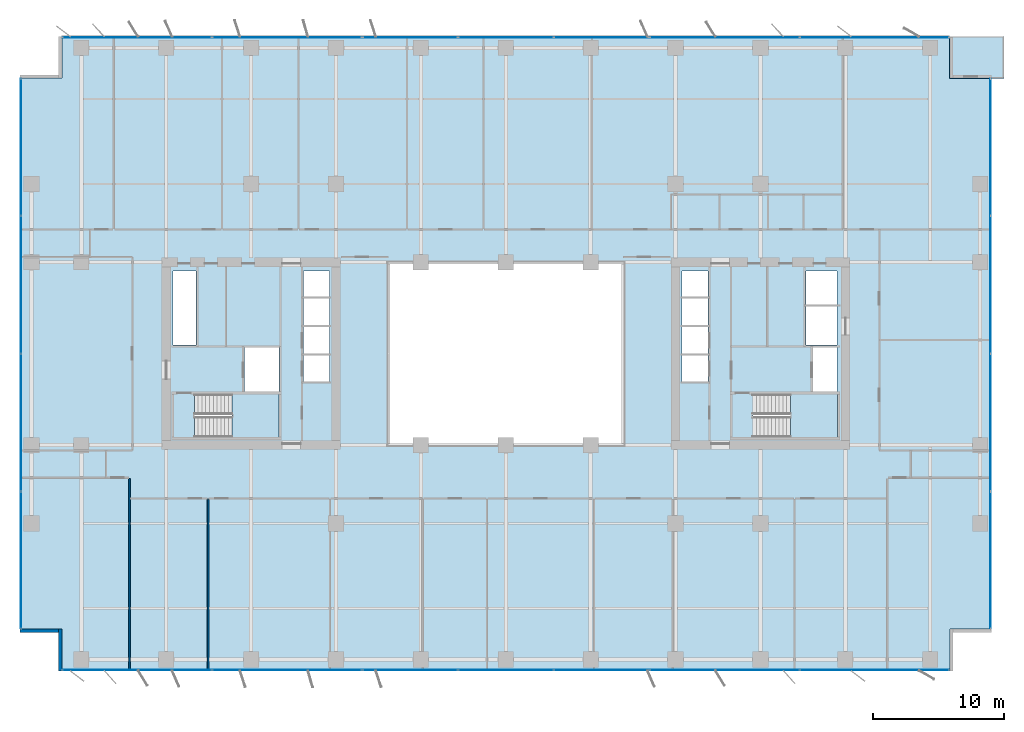
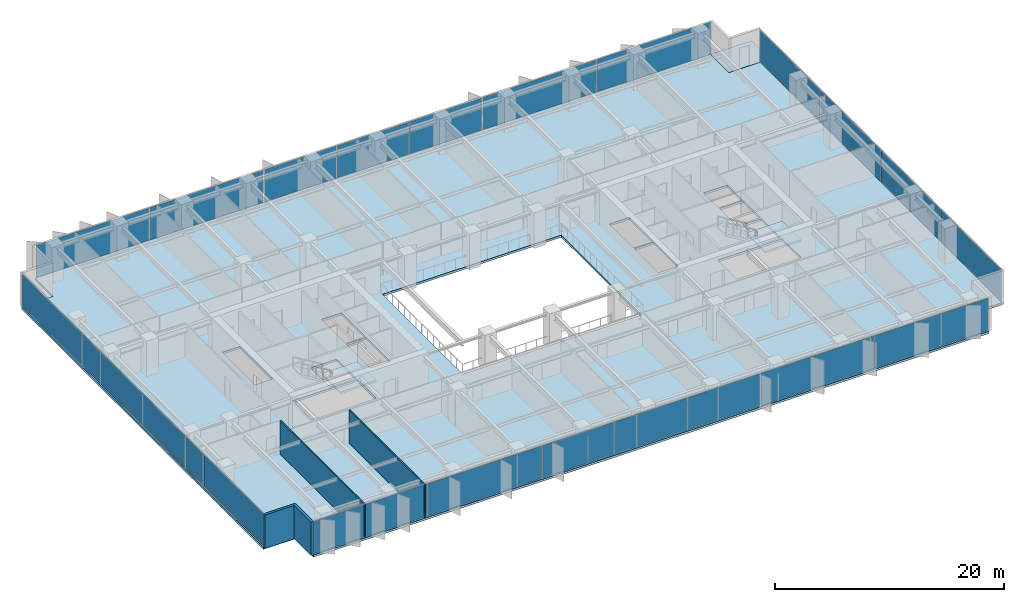
# One storey, part 12 of 20: 22 plates, 4 slabs, 4 walls, 10 elements without a shape of their own.
"""IFC4 building model written with IfcOpenShell, lengths in metres."""

from ifc_helpers import new_model, si_unit, direction, frame, frame_2d, origin, origin_2d, place, context, subcontext, project, spatial, polyline, rectangle, outline, extrude, material, layer, layer_set, type_object, element, aggregate, save


model = new_model("IFC4")

# Units and contexts
model_context = context("Model", 3, precision=1e-05, world=origin(), true_north=direction((0.0, 1.0)))
body_context = subcontext(model_context, "Body", "Model", "MODEL_VIEW")
ifc_project = project(units=[si_unit("LENGTHUNIT", "METRE"), si_unit("AREAUNIT", "SQUARE_METRE"), si_unit("VOLUMEUNIT", "CUBIC_METRE"), si_unit("PLANEANGLEUNIT", "RADIAN"), si_unit("MASSUNIT", "GRAM", prefix="KILO")], contexts=[model_context])

# Site, building, storey
site_placement = place(None, origin())
site = spatial("IfcSite", under=ifc_project, at=site_placement, CompositionType="ELEMENT")
building_placement = place(site_placement, origin())
building = spatial("IfcBuilding", under=site, at=building_placement, Name="Putna Gate Headquarters", CompositionType="ELEMENT")
storey_placement = place(building_placement, frame((0.0, 0.0, 127.800048828125)))
storey = spatial("IfcBuildingStorey", under=building, at=storey_placement, Name="L31", CompositionType="ELEMENT", Elevation=127.800048828125)

# Stair, slab
ifc_material_1 = material(Name="Concrete C40/50", Category="concrete")
stair_type_1 = type_object("IfcStairType", Name="STAIR-ST1", PredefinedType="HALF_TURN_STAIR", material=ifc_material_1)
stair_1_placement = place(storey_placement, origin())
stair_1 = element("IfcStair", 1, at=stair_1_placement, inside=storey, type_object=stair_type_1, Name="L31 West Core Exit Stair ST1", PredefinedType="HALF_TURN_STAIR")
ifc_layer_1 = layer(ifc_material_1, 0.199951171875)
ifc_layer_set_1 = layer_set([ifc_layer_1], Name="Concrete C40/50")
slab_type_1 = type_object("IfcSlabType", Name="LANDING-ST1", PredefinedType="LANDING", material=ifc_layer_set_1)
slab_1_placement = place(storey_placement, frame((0.0, 0.0, 1.699951171875)))
slab_1 = element("IfcSlab", 2, at=slab_1_placement, type_object=slab_type_1, Name="ST1 landing 1", PredefinedType="LANDING", context=body_context, shape_type="SweptSolid", body=[
    extrude(outline(polyline([(18.050048828125, 19.60009765625), (21.64990234375, 19.60009765625), (21.64990234375, 22.89990234375), (18.050048828125, 22.89990234375), (18.050048828125, 19.60009765625)])), origin(), (0.0, 0.0, 1.0), 0.199951171875),
])
aggregate(stair_1, [slab_1])

stair_type_2 = type_object("IfcStairType", Name="STAIR-ST2", PredefinedType="HALF_TURN_STAIR", material=ifc_material_1)
stair_2_placement = place(storey_placement, origin())
stair_2 = element("IfcStair", 3, at=stair_2_placement, inside=storey, type_object=stair_type_2, Name="L31 East Core Exit Stair ST2", PredefinedType="HALF_TURN_STAIR")
ifc_layer_2 = layer(ifc_material_1, 0.199951171875)
ifc_layer_set_2 = layer_set([ifc_layer_2], Name="Concrete C40/50")
slab_type_2 = type_object("IfcSlabType", Name="LANDING-ST2", PredefinedType="LANDING", material=ifc_layer_set_2)
slab_2_placement = place(storey_placement, frame((0.0, 0.0, 1.699951171875)))
slab_2 = element("IfcSlab", 4, at=slab_2_placement, type_object=slab_type_2, Name="ST2 landing 1", PredefinedType="LANDING", context=body_context, shape_type="SweptSolid", body=[
    extrude(outline(polyline([(60.800048828125, 19.60009765625), (64.39990234375, 19.60009765625), (64.39990234375, 22.89990234375), (60.800048828125, 22.89990234375), (60.800048828125, 19.60009765625)])), origin(), (0.0, 0.0, 1.0), 0.199951171875),
])
aggregate(stair_2, [slab_2])

# Curtain wall, plates
ifc_material_2 = material(Name="Anodised bronze aluminium curtain wall", Category="aluminium")
ifc_layer_3 = layer(ifc_material_2, 0.159912109375)
ifc_layer_set_3 = layer_set([ifc_layer_3], Name="Anodised bronze aluminium curtain wall")
curtain_wall_type_1 = type_object("IfcCurtainWallType", Name="CW-SYS-Z2", PredefinedType="USERDEFINED", material=ifc_layer_set_3)
curtain_wall_1_placement = place(storey_placement, origin())
curtain_wall_1 = element("IfcCurtainWall", 5, at=curtain_wall_1_placement, inside=storey, type_object=curtain_wall_type_1, Name="L31 South West Curtain Wall", ObjectType="STICK CURTAIN WALL", PredefinedType="USERDEFINED")
ifc_material_3 = material(Name="Solar-control triple low-E glass", Category="glass")
ifc_layer_4 = layer(ifc_material_3, 0.030029296875)
ifc_layer_set_4 = layer_set([ifc_layer_4], Name="Solar-control triple low-E glass")
plate_type_1 = type_object("IfcPlateType", Name="PAN-CWP-2", PredefinedType="CURTAIN_PANEL", material=ifc_layer_set_4)
plate_1_placement = place(storey_placement, frame((10.766357421875, 1.780029296875, 0.06494140625), z_axis=(0.0, 0.0, 1.0), x_axis=(1.0, 0.0, 0.0)))
plate_1 = element("IfcPlate", 6, at=plate_1_placement, type_object=plate_type_1, Name="CWS-2 panel 1.1", PredefinedType="CURTAIN_PANEL", context=body_context, shape_type="SweptSolid", body=[
    extrude(rectangle(XDim=11.402587890625, YDim=0.030029296875, at=origin_2d()), origin(), (0.0, 0.0, 1.0), 3.43505859375),
])
plate_2_placement = place(storey_placement, frame((22.233642578125, 1.780029296875, 0.06494140625), z_axis=(0.0, 0.0, 1.0), x_axis=(1.0, 0.0, 0.0)))
plate_2 = element("IfcPlate", 7, at=plate_2_placement, type_object=plate_type_1, Name="CWS-2 panel 2.1", PredefinedType="CURTAIN_PANEL", context=body_context, shape_type="SweptSolid", body=[
    extrude(rectangle(XDim=11.402587890625, YDim=0.030029296875, at=origin_2d()), origin(), (0.0, 0.0, 1.0), 3.43505859375),
])
aggregate(curtain_wall_1, [plate_1, plate_2])

curtain_wall_2_placement = place(storey_placement, origin())
curtain_wall_2 = element("IfcCurtainWall", 8, at=curtain_wall_2_placement, inside=storey, type_object=curtain_wall_type_1, Name="L31 South East Curtain Wall", ObjectType="STICK CURTAIN WALL", PredefinedType="USERDEFINED")
plate_3_placement = place(storey_placement, frame((55.766357421875, 1.780029296875, 0.06494140625), z_axis=(0.0, 0.0, 1.0), x_axis=(1.0, 0.0, 0.0)))
plate_3 = element("IfcPlate", 9, at=plate_3_placement, type_object=plate_type_1, Name="CWS-2 panel 1.1", PredefinedType="CURTAIN_PANEL", context=body_context, shape_type="SweptSolid", body=[
    extrude(rectangle(XDim=11.402587890625, YDim=0.030029296875, at=origin_2d()), origin(), (0.0, 0.0, 1.0), 3.43505859375),
])
plate_4_placement = place(storey_placement, frame((67.233642578125, 1.780029296875, 0.06494140625), z_axis=(0.0, 0.0, 1.0), x_axis=(1.0, 0.0, 0.0)))
plate_4 = element("IfcPlate", 10, at=plate_4_placement, type_object=plate_type_1, Name="CWS-2 panel 2.1", PredefinedType="CURTAIN_PANEL", context=body_context, shape_type="SweptSolid", body=[
    extrude(rectangle(XDim=11.402587890625, YDim=0.030029296875, at=origin_2d()), origin(), (0.0, 0.0, 1.0), 3.43505859375),
])
aggregate(curtain_wall_2, [plate_3, plate_4])

curtain_wall_3_placement = place(storey_placement, origin())
curtain_wall_3 = element("IfcCurtainWall", 11, at=curtain_wall_3_placement, inside=storey, type_object=curtain_wall_type_1, Name="L31 North West Curtain Wall", ObjectType="STICK CURTAIN WALL", PredefinedType="USERDEFINED")
plate_5_placement = place(storey_placement, frame((10.766357421875, 50.219970703125, 0.06494140625), z_axis=(0.0, 0.0, 1.0), x_axis=(1.0, 0.0, 0.0)))
plate_5 = element("IfcPlate", 12, at=plate_5_placement, type_object=plate_type_1, Name="CWS-2 panel 1.1", PredefinedType="CURTAIN_PANEL", context=body_context, shape_type="SweptSolid", body=[
    extrude(rectangle(XDim=11.402587890625, YDim=0.030029296875, at=origin_2d()), origin(), (0.0, 0.0, 1.0), 3.43505859375),
])
plate_6_placement = place(storey_placement, frame((22.233642578125, 50.219970703125, 0.06494140625), z_axis=(0.0, 0.0, 1.0), x_axis=(1.0, 0.0, 0.0)))
plate_6 = element("IfcPlate", 13, at=plate_6_placement, type_object=plate_type_1, Name="CWS-2 panel 2.1", PredefinedType="CURTAIN_PANEL", context=body_context, shape_type="SweptSolid", body=[
    extrude(rectangle(XDim=11.402587890625, YDim=0.030029296875, at=origin_2d()), origin(), (0.0, 0.0, 1.0), 3.43505859375),
])
aggregate(curtain_wall_3, [plate_5, plate_6])

curtain_wall_4_placement = place(storey_placement, origin())
curtain_wall_4 = element("IfcCurtainWall", 14, at=curtain_wall_4_placement, inside=storey, type_object=curtain_wall_type_1, Name="L31 North East Curtain Wall", ObjectType="STICK CURTAIN WALL", PredefinedType="USERDEFINED")
plate_7_placement = place(storey_placement, frame((55.766357421875, 50.219970703125, 0.06494140625), z_axis=(0.0, 0.0, 1.0), x_axis=(1.0, 0.0, 0.0)))
plate_7 = element("IfcPlate", 15, at=plate_7_placement, type_object=plate_type_1, Name="CWS-2 panel 1.1", PredefinedType="CURTAIN_PANEL", context=body_context, shape_type="SweptSolid", body=[
    extrude(rectangle(XDim=11.402587890625, YDim=0.030029296875, at=origin_2d()), origin(), (0.0, 0.0, 1.0), 3.43505859375),
])
plate_8_placement = place(storey_placement, frame((67.233642578125, 50.219970703125, 0.06494140625), z_axis=(0.0, 0.0, 1.0), x_axis=(1.0, 0.0, 0.0)))
plate_8 = element("IfcPlate", 16, at=plate_8_placement, type_object=plate_type_1, Name="CWS-2 panel 2.1", PredefinedType="CURTAIN_PANEL", context=body_context, shape_type="SweptSolid", body=[
    extrude(rectangle(XDim=11.402587890625, YDim=0.030029296875, at=origin_2d()), origin(), (0.0, 0.0, 1.0), 3.43505859375),
])
aggregate(curtain_wall_4, [plate_7, plate_8])

curtain_wall_5_placement = place(storey_placement, origin())
curtain_wall_5 = element("IfcCurtainWall", 17, at=curtain_wall_5_placement, inside=storey, type_object=curtain_wall_type_1, Name="L31 West Curtain Wall", ObjectType="STICK CURTAIN WALL", PredefinedType="USERDEFINED")
plate_9_placement = place(storey_placement, frame((1.8798828125, 10.191162109375, 0.06494140625), z_axis=(0.0, 0.0, 1.0), x_axis=(0.0, 1.0, 0.0)))
plate_9 = element("IfcPlate", 18, at=plate_9_placement, type_object=plate_type_1, Name="CWS-2 panel 1.1", PredefinedType="CURTAIN_PANEL", context=body_context, shape_type="SweptSolid", body=[
    extrude(rectangle(XDim=10.452392578125, YDim=0.030029296875, at=origin_2d()), origin(), (0.0, 0.0, 1.0), 3.43505859375),
])
plate_10_placement = place(storey_placement, frame((1.8798828125, 20.72509765625, 0.06494140625), z_axis=(0.0, 0.0, 1.0), x_axis=(0.0, 1.0, 0.0)))
plate_10 = element("IfcPlate", 19, at=plate_10_placement, type_object=plate_type_1, Name="CWS-2 panel 2.1", PredefinedType="CURTAIN_PANEL", context=body_context, shape_type="SweptSolid", body=[
    extrude(rectangle(XDim=10.485107421875, YDim=0.030029296875, at=origin_2d()), origin(), (0.0, 0.0, 1.0), 3.43505859375),
])
plate_11_placement = place(storey_placement, frame((1.8798828125, 31.27490234375, 0.06494140625), z_axis=(0.0, 0.0, 1.0), x_axis=(0.0, 1.0, 0.0)))
plate_11 = element("IfcPlate", 20, at=plate_11_placement, type_object=plate_type_1, Name="CWS-2 panel 3.1", PredefinedType="CURTAIN_PANEL", context=body_context, shape_type="SweptSolid", body=[
    extrude(rectangle(XDim=10.485107421875, YDim=0.030029296875, at=origin_2d()), origin(), (0.0, 0.0, 1.0), 3.43505859375),
])
plate_12_placement = place(storey_placement, frame((1.8798828125, 41.808837890625, 0.06494140625), z_axis=(0.0, 0.0, 1.0), x_axis=(0.0, 1.0, 0.0)))
plate_12 = element("IfcPlate", 21, at=plate_12_placement, type_object=plate_type_1, Name="CWS-2 panel 4.1", PredefinedType="CURTAIN_PANEL", context=body_context, shape_type="SweptSolid", body=[
    extrude(rectangle(XDim=10.452392578125, YDim=0.030029296875, at=origin_2d()), origin(), (0.0, 0.0, 1.0), 3.43505859375),
])
aggregate(curtain_wall_5, [plate_9, plate_10, plate_11, plate_12])

curtain_wall_6_placement = place(storey_placement, origin())
curtain_wall_6 = element("IfcCurtainWall", 22, at=curtain_wall_6_placement, inside=storey, type_object=curtain_wall_type_1, Name="L31 East Curtain Wall", ObjectType="STICK CURTAIN WALL", PredefinedType="USERDEFINED")
plate_13_placement = place(storey_placement, frame((76.1201171875, 10.191162109375, 0.06494140625), z_axis=(0.0, 0.0, 1.0), x_axis=(0.0, 1.0, 0.0)))
plate_13 = element("IfcPlate", 23, at=plate_13_placement, type_object=plate_type_1, Name="CWS-2 panel 1.1", PredefinedType="CURTAIN_PANEL", context=body_context, shape_type="SweptSolid", body=[
    extrude(rectangle(XDim=10.452392578125, YDim=0.030029296875, at=origin_2d()), origin(), (0.0, 0.0, 1.0), 3.43505859375),
])
plate_14_placement = place(storey_placement, frame((76.1201171875, 20.72509765625, 0.06494140625), z_axis=(0.0, 0.0, 1.0), x_axis=(0.0, 1.0, 0.0)))
plate_14 = element("IfcPlate", 24, at=plate_14_placement, type_object=plate_type_1, Name="CWS-2 panel 2.1", PredefinedType="CURTAIN_PANEL", context=body_context, shape_type="SweptSolid", body=[
    extrude(rectangle(XDim=10.485107421875, YDim=0.030029296875, at=origin_2d()), origin(), (0.0, 0.0, 1.0), 3.43505859375),
])
plate_15_placement = place(storey_placement, frame((76.1201171875, 31.27490234375, 0.06494140625), z_axis=(0.0, 0.0, 1.0), x_axis=(0.0, 1.0, 0.0)))
plate_15 = element("IfcPlate", 25, at=plate_15_placement, type_object=plate_type_1, Name="CWS-2 panel 3.1", PredefinedType="CURTAIN_PANEL", context=body_context, shape_type="SweptSolid", body=[
    extrude(rectangle(XDim=10.485107421875, YDim=0.030029296875, at=origin_2d()), origin(), (0.0, 0.0, 1.0), 3.43505859375),
])
plate_16_placement = place(storey_placement, frame((76.1201171875, 41.808837890625, 0.06494140625), z_axis=(0.0, 0.0, 1.0), x_axis=(0.0, 1.0, 0.0)))
plate_16 = element("IfcPlate", 26, at=plate_16_placement, type_object=plate_type_1, Name="CWS-2 panel 4.1", PredefinedType="CURTAIN_PANEL", context=body_context, shape_type="SweptSolid", body=[
    extrude(rectangle(XDim=10.452392578125, YDim=0.030029296875, at=origin_2d()), origin(), (0.0, 0.0, 1.0), 3.43505859375),
])
aggregate(curtain_wall_6, [plate_13, plate_14, plate_15, plate_16])

ifc_layer_5 = layer(ifc_material_2, 0.179931640625)
ifc_layer_set_5 = layer_set([ifc_layer_5], Name="Anodised bronze aluminium curtain wall")
curtain_wall_type_2 = type_object("IfcCurtainWallType", Name="CW-SYS-ATR", PredefinedType="USERDEFINED", material=ifc_layer_set_5)
curtain_wall_7_placement = place(storey_placement, origin())
curtain_wall_7 = element("IfcCurtainWall", 27, at=curtain_wall_7_placement, inside=storey, type_object=curtain_wall_type_2, Name="L31 South Atrium Clear Glazing", ObjectType="ATRIUM GLAZING", PredefinedType="USERDEFINED")
ifc_material_4 = material(Name="Clear low-iron triple glazing", Category="glass")
ifc_layer_6 = layer(ifc_material_4, 0.0400390625)
ifc_layer_set_6 = layer_set([ifc_layer_6], Name="Clear low-iron triple glazing")
plate_type_2 = type_object("IfcPlateType", Name="PAN-CWP-AT", PredefinedType="CURTAIN_PANEL", material=ifc_layer_set_6)
plate_17_placement = place(storey_placement, frame((31.68408203125, 1.780029296875, 0.06982421875), z_axis=(0.0, 0.0, 1.0), x_axis=(1.0, 0.0, 0.0)))
plate_17 = element("IfcPlate", 28, at=plate_17_placement, type_object=plate_type_2, Name="CWS-AT panel 1.1", PredefinedType="CURTAIN_PANEL", context=body_context, shape_type="SweptSolid", body=[
    extrude(rectangle(XDim=7.228271484375, YDim=0.0400390625, at=origin_2d()), origin(), (0.0, 0.0, 1.0), 3.425048828125),
])
plate_18_placement = place(storey_placement, frame((39.0, 1.780029296875, 0.06982421875), z_axis=(0.0, 0.0, 1.0), x_axis=(1.0, 0.0, 0.0)))
plate_18 = element("IfcPlate", 29, at=plate_18_placement, type_object=plate_type_2, Name="CWS-AT panel 2.1", PredefinedType="CURTAIN_PANEL", context=body_context, shape_type="SweptSolid", body=[
    extrude(rectangle(XDim=7.263427734375, YDim=0.0400390625, at=origin_2d()), origin(), (0.0, 0.0, 1.0), 3.425048828125),
])
plate_19_placement = place(storey_placement, frame((46.31591796875, 1.780029296875, 0.06982421875), z_axis=(0.0, 0.0, 1.0), x_axis=(1.0, 0.0, 0.0)))
plate_19 = element("IfcPlate", 30, at=plate_19_placement, type_object=plate_type_2, Name="CWS-AT panel 3.1", PredefinedType="CURTAIN_PANEL", context=body_context, shape_type="SweptSolid", body=[
    extrude(rectangle(XDim=7.228271484375, YDim=0.0400390625, at=origin_2d()), origin(), (0.0, 0.0, 1.0), 3.425048828125),
])
aggregate(curtain_wall_7, [plate_17, plate_18, plate_19])

curtain_wall_8_placement = place(storey_placement, origin())
curtain_wall_8 = element("IfcCurtainWall", 31, at=curtain_wall_8_placement, inside=storey, type_object=curtain_wall_type_2, Name="L31 North Atrium Clear Glazing", ObjectType="ATRIUM GLAZING", PredefinedType="USERDEFINED")
plate_20_placement = place(storey_placement, frame((31.68408203125, 50.219970703125, 0.06982421875), z_axis=(0.0, 0.0, 1.0), x_axis=(1.0, 0.0, 0.0)))
plate_20 = element("IfcPlate", 32, at=plate_20_placement, type_object=plate_type_2, Name="CWS-AT panel 1.1", PredefinedType="CURTAIN_PANEL", context=body_context, shape_type="SweptSolid", body=[
    extrude(rectangle(XDim=7.228271484375, YDim=0.0400390625, at=origin_2d()), origin(), (0.0, 0.0, 1.0), 3.425048828125),
])
plate_21_placement = place(storey_placement, frame((39.0, 50.219970703125, 0.06982421875), z_axis=(0.0, 0.0, 1.0), x_axis=(1.0, 0.0, 0.0)))
plate_21 = element("IfcPlate", 33, at=plate_21_placement, type_object=plate_type_2, Name="CWS-AT panel 2.1", PredefinedType="CURTAIN_PANEL", context=body_context, shape_type="SweptSolid", body=[
    extrude(rectangle(XDim=7.263427734375, YDim=0.0400390625, at=origin_2d()), origin(), (0.0, 0.0, 1.0), 3.425048828125),
])
plate_22_placement = place(storey_placement, frame((46.31591796875, 50.219970703125, 0.06982421875), z_axis=(0.0, 0.0, 1.0), x_axis=(1.0, 0.0, 0.0)))
plate_22 = element("IfcPlate", 34, at=plate_22_placement, type_object=plate_type_2, Name="CWS-AT panel 3.1", PredefinedType="CURTAIN_PANEL", context=body_context, shape_type="SweptSolid", body=[
    extrude(rectangle(XDim=7.228271484375, YDim=0.0400390625, at=origin_2d()), origin(), (0.0, 0.0, 1.0), 3.425048828125),
])
aggregate(curtain_wall_8, [plate_20, plate_21, plate_22])

# Slabs
ifc_layer_7 = layer(ifc_material_1, 0.179931640625)
ifc_layer_set_7 = layer_set([ifc_layer_7], Name="Concrete C40/50")
slab_type_3 = type_object("IfcSlabType", Name="SLAB-TERRACE-180", PredefinedType="FLOOR", material=ifc_layer_set_7)
slab_3_placement = place(storey_placement, frame((0.0, 0.0, -0.179931640625)))
element("IfcSlab", 35, at=slab_3_placement, inside=storey, type_object=slab_type_3, Name="L31 Spiral Sky-Garden Terrace Slab (NE)", PredefinedType="FLOOR", context=body_context, shape_type="SweptSolid", body=[
    extrude(outline(polyline([(72.991943359375, 47.092041015625), (77.14990234375, 47.092041015625), (77.14990234375, 50.300048828125), (72.991943359375, 50.300048828125), (72.991943359375, 47.092041015625)])), origin(), (0.0, 0.0, 1.0), 0.179931640625),
])
ifc_layer_8 = layer(ifc_material_1, 0.235107421875)
ifc_layer_set_8 = layer_set([ifc_layer_8], Name="Concrete C40/50")
slab_type_4 = type_object("IfcSlabType", Name="SLAB-Z2-235", PredefinedType="FLOOR", material=ifc_layer_set_8)
slab_4_placement = place(storey_placement, frame((0.0, 0.0, -0.235107421875)))
element("IfcSlab", 36, at=slab_4_placement, inside=storey, type_object=slab_type_4, Name="L31 Composite Floor Slab", PredefinedType="FLOOR", context=body_context, shape_type="SweptSolid", body=[
    extrude(outline(polyline([(5.0, 1.699951171875), (73.0, 1.699951171875), (73.0, 4.89990234375), (76.199951171875, 4.89990234375), (76.199951171875, 47.10009765625), (73.0, 47.10009765625), (73.0, 50.300048828125), (5.0, 50.300048828125), (5.0, 47.10009765625), (1.800048828125, 47.10009765625), (1.800048828125, 4.89990234375), (5.0, 4.89990234375), (5.0, 1.699951171875)]), holes=[polyline([(15.1650390625, 19.60009765625), (21.64990234375, 19.60009765625), (21.64990234375, 22.89990234375), (15.1650390625, 22.89990234375), (15.1650390625, 19.60009765625)]), polyline([(57.9150390625, 19.60009765625), (64.39990234375, 19.60009765625), (64.39990234375, 22.89990234375), (57.9150390625, 22.89990234375), (57.9150390625, 19.60009765625)]), polyline([(13.52001953125, 26.659912109375), (15.280029296875, 26.659912109375), (15.280029296875, 32.35009765625), (13.52001953125, 32.35009765625), (13.52001953125, 26.659912109375)]), polyline([(61.969970703125, 29.780029296875), (64.35009765625, 29.780029296875), (64.35009765625, 32.35009765625), (61.969970703125, 32.35009765625), (61.969970703125, 29.780029296875)]), polyline([(18.97998046875, 23.1201171875), (21.6201171875, 23.1201171875), (21.6201171875, 26.4599609375), (18.97998046875, 26.4599609375), (18.97998046875, 23.1201171875)]), polyline([(62.52001953125, 23.1201171875), (64.35009765625, 23.1201171875), (64.35009765625, 26.4599609375), (62.52001953125, 26.4599609375), (62.52001953125, 23.1201171875)]), polyline([(61.969970703125, 26.659912109375), (64.35009765625, 26.659912109375), (64.35009765625, 29.6201171875), (61.969970703125, 29.6201171875), (61.969970703125, 26.659912109375)]), polyline([(23.5, 23.860107421875), (25.5, 23.860107421875), (25.5, 28.0400390625), (23.5, 28.0400390625), (23.5, 23.860107421875)]), polyline([(52.47998046875, 23.860107421875), (54.5, 23.860107421875), (54.5, 28.0400390625), (52.47998046875, 28.0400390625), (52.47998046875, 23.860107421875)]), polyline([(23.5, 28.199951171875), (25.5, 28.199951171875), (25.5, 32.35009765625), (23.5, 32.35009765625), (23.5, 28.199951171875)]), polyline([(52.47998046875, 28.199951171875), (54.5, 28.199951171875), (54.5, 32.35009765625), (52.47998046875, 32.35009765625), (52.47998046875, 28.199951171875)]), polyline([(30.0, 19.0), (48.0, 19.0), (48.0, 33.0), (30.0, 33.0), (30.0, 19.0)])]), origin(), (0.0, 0.0, 1.0), 0.235107421875),
])

# Walls
ifc_material_5 = material(Name="Precast concrete C40/50", Category="concrete")
ifc_layer_9 = layer(ifc_material_5, 0.239990234375)
ifc_layer_set_9 = layer_set([ifc_layer_9], Name="Precast concrete C40/50")
wall_type_1 = type_object("IfcWallType", Name="WALL-EXT-TERR-240", PredefinedType="STANDARD", material=ifc_layer_set_9)
for number, where, z_axis, x_axis, name in (
    (37, (4.8798828125, 1.699951171875, 0.0), (0.0, 0.0, 1.0), (0.0, 1.0, 0.0), "L31 Corner Notch Return Wall SW-V"),
    (38, (5.0, 4.780029296875, 0.0), (0.0, 0.0, 1.0), (-1.0, 0.0, 0.0), "L31 Corner Notch Return Wall SW-H"),
):
    element("IfcWall", number, at=place(storey_placement, frame(where, z_axis=z_axis, x_axis=x_axis)), inside=storey, type_object=wall_type_1, Name=name, PredefinedType="STANDARD", context=body_context, shape_type="SweptSolid", body=[
        extrude(rectangle(XDim=3.199951171875, YDim=0.239990234375, at=frame_2d((1.60009765625, 0.0))), origin(), (0.0, 0.0, 1.0), 3.56494140625),
    ])
ifc_material_6 = material(Name="Acoustic gypsum board on metal stud")
ifc_layer_10 = layer(ifc_material_6, 0.1201171875)
ifc_layer_set_10 = layer_set([ifc_layer_10], Name="Acoustic gypsum board on metal stud")
wall_type_2 = type_object("IfcWallType", Name="WALL-PART-120", PredefinedType="PARTITIONING", material=ifc_layer_set_10)
wall_1_placement = place(storey_placement, frame((10.19091796875, 1.719970703125, 0.0), z_axis=(0.0, 0.0, 1.0), x_axis=(0.0, 1.0, 0.0)))
element("IfcWall", 39, at=wall_1_placement, inside=storey, type_object=wall_type_2, Name="L31 Interior Wall PART-L31-SB-DIV-01", PredefinedType="PARTITIONING", context=body_context, shape_type="SweptSolid", body=[
    extrude(rectangle(XDim=14.719970703125, YDim=0.1201171875, at=frame_2d((7.35986328125, 0.0))), origin(), (0.0, 0.0, 1.0), 3.56494140625),
])
wall_2_placement = place(storey_placement, frame((16.21044921875, 1.719970703125, 0.0), z_axis=(0.0, 0.0, 1.0), x_axis=(0.0, 1.0, 0.0)))
element("IfcWall", 40, at=wall_2_placement, inside=storey, type_object=wall_type_2, Name="L31 Interior Wall PART-L31-SB-DIV-02", PredefinedType="PARTITIONING", context=body_context, shape_type="SweptSolid", body=[
    extrude(rectangle(XDim=13.1201171875, YDim=0.1201171875, at=frame_2d((6.56005859375, 0.0))), origin(), (0.0, 0.0, 1.0), 3.56494140625),
])

save(model, "model.ifc")
